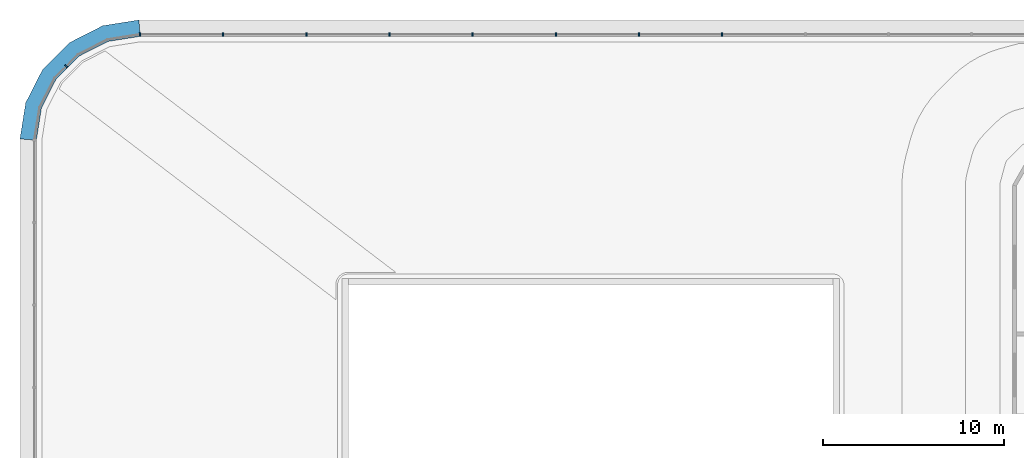
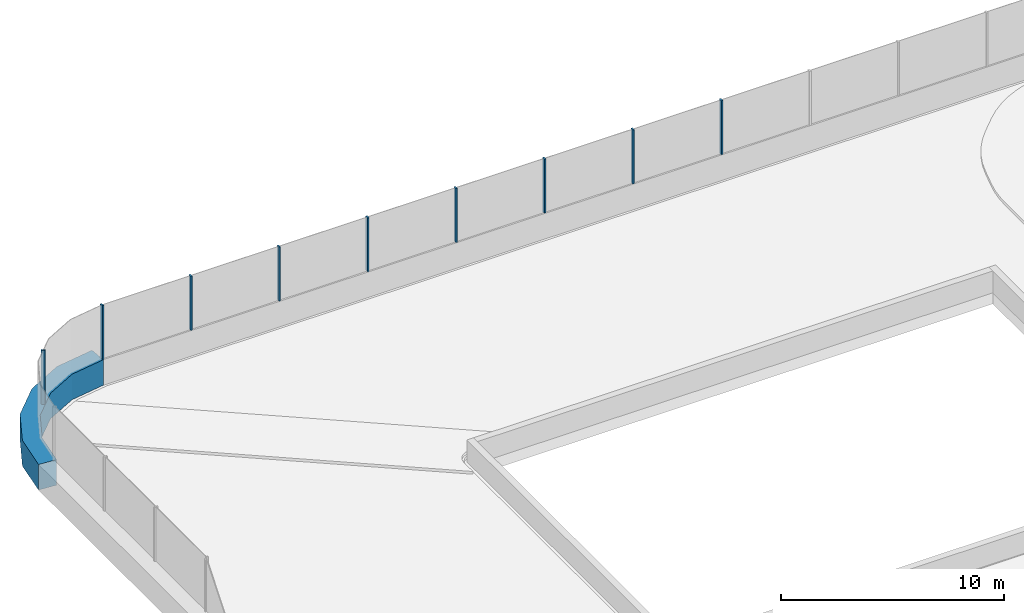
# One storey, part 14 of 37: 10 members, 2 elements without a shape of their own.
"""IFC4 building model written with IfcOpenShell, lengths in metres."""

from ifc_helpers import new_model, si_unit, direction, frame, origin, origin_2d, place, context, subcontext, project, spatial, polyline, rectangle, outline, extrude, material, layer, layer_set, material_profile, profile_set, type_object, element, aggregate, save


model = new_model("IFC4")

# Units and contexts
model_context = context("Model", 3, precision=1e-05, world=origin(), true_north=direction((0.0, 1.0)))
body_context = subcontext(model_context, "Body", "Model", "MODEL_VIEW")
ifc_project = project(units=[si_unit("LENGTHUNIT", "METRE"), si_unit("AREAUNIT", "SQUARE_METRE"), si_unit("VOLUMEUNIT", "CUBIC_METRE"), si_unit("PLANEANGLEUNIT", "RADIAN"), si_unit("MASSUNIT", "GRAM", prefix="KILO")], contexts=[model_context])

# Site, building, storey
site_placement = place(None, origin())
site = spatial("IfcSite", under=ifc_project, at=site_placement, CompositionType="ELEMENT")
building_placement = place(site_placement, origin())
building = spatial("IfcBuilding", under=site, at=building_placement, Name="Tamarind Cross Interchange Tower", CompositionType="ELEMENT")
storey_placement = place(building_placement, frame((0.0, 0.0, 29.5)))
storey = spatial("IfcBuildingStorey", under=building, at=storey_placement, Name="L05", CompositionType="ELEMENT", Elevation=29.5)

# Curtain wall, member
ifc_material_1 = material(Name="Aluminium 6063-T6", Category="aluminium")
ifc_layer = layer(ifc_material_1, 0.179931640625)
ifc_layer_set = layer_set([ifc_layer], Name="Aluminium 6063-T6")
curtain_wall_type = type_object("IfcCurtainWallType", Name="Sky lobby curtain wall, fire-resisting glazing", PredefinedType="NOTDEFINED", material=ifc_layer_set)
curtain_wall_1_placement = place(storey_placement, origin())
curtain_wall_1 = element("IfcCurtainWall", 1, at=curtain_wall_1_placement, inside=storey, type_object=curtain_wall_type, Name="CWS-L05-03", PredefinedType="NOTDEFINED")
ifc_material_2 = material(Name="Aluminium and insulated spandrel panel", Category="aluminium")
member_type_1 = type_object("IfcMemberType", Name="Floor-edge blade transom", PredefinedType="USERDEFINED", material=ifc_material_2)
member_1_placement = place(storey_placement, origin())
member_1 = element("IfcMember", 2, at=member_1_placement, type_object=member_type_1, Name="CWT-L05-03", ObjectType="TRANSOM", PredefinedType="USERDEFINED", context=body_context, shape_type="SweptSolid", body=[
    extrude(outline(polyline([(-54.976318359375, 55.699951171875), (-56.76025390625, 55.41748046875), (-58.34814453125, 54.6083984375), (-59.6083984375, 53.34814453125), (-60.41748046875, 51.76025390625), (-60.699951171875, 49.976318359375), (-61.60009765625, 50.047119140625), (-61.2841796875, 52.041748046875), (-60.345458984375, 53.8837890625), (-58.8837890625, 55.345458984375), (-57.041748046875, 56.2841796875), (-55.047119140625, 56.60009765625), (-54.976318359375, 55.699951171875)])), origin(), (0.0, 0.0, 1.0), 1.39990234375),
])

# Curtain wall, members
curtain_wall_2_placement = place(storey_placement, origin())
curtain_wall_2 = element("IfcCurtainWall", 3, at=curtain_wall_2_placement, inside=storey, type_object=curtain_wall_type, Name="CWS-L05-02", PredefinedType="NOTDEFINED")
ifc_material_profile = material_profile(ifc_material_1, rectangle(XDim=0.080078125, YDim=0.179931640625, at=origin_2d()), Name="Mullion CW4")
ifc_profile_set = profile_set([ifc_material_profile], Name="Aluminium 6063-T6")
member_type_2 = type_object("IfcMemberType", Name="Mullion CW4", PredefinedType="MULLION", material=ifc_profile_set)
member_2_placement = place(storey_placement, frame((-22.91015625, 55.800048828125, 1.39990234375), z_axis=(0.0, 0.0, 1.0), x_axis=(-1.0, 0.0, 0.0)))
member_2 = element("IfcMember", 4, at=member_2_placement, type_object=member_type_2, Name="CWM-L05-02-17", PredefinedType="MULLION", context=body_context, shape_type="SweptSolid", body=[
    extrude(rectangle(XDim=0.080078125, YDim=0.179931640625, at=origin_2d()), origin(), (0.0, 0.0, 1.0), 2.960205078125),
])
member_3_placement = place(storey_placement, frame((-27.4921875, 55.800048828125, 1.39990234375), z_axis=(0.0, 0.0, 1.0), x_axis=(-1.0, 0.0, 0.0)))
member_3 = element("IfcMember", 5, at=member_3_placement, type_object=member_type_2, Name="CWM-L05-02-18", PredefinedType="MULLION", context=body_context, shape_type="SweptSolid", body=[
    extrude(rectangle(XDim=0.080078125, YDim=0.179931640625, at=origin_2d()), origin(), (0.0, 0.0, 1.0), 2.960205078125),
])
member_4_placement = place(storey_placement, frame((-32.07421875, 55.800048828125, 1.39990234375), z_axis=(0.0, 0.0, 1.0), x_axis=(-1.0, 0.0, 0.0)))
member_4 = element("IfcMember", 6, at=member_4_placement, type_object=member_type_2, Name="CWM-L05-02-19", PredefinedType="MULLION", context=body_context, shape_type="SweptSolid", body=[
    extrude(rectangle(XDim=0.080078125, YDim=0.179931640625, at=origin_2d()), origin(), (0.0, 0.0, 1.0), 2.960205078125),
])
member_5_placement = place(storey_placement, frame((-36.65625, 55.800048828125, 1.39990234375), z_axis=(0.0, 0.0, 1.0), x_axis=(-1.0, 0.0, 0.0)))
member_5 = element("IfcMember", 7, at=member_5_placement, type_object=member_type_2, Name="CWM-L05-02-20", PredefinedType="MULLION", context=body_context, shape_type="SweptSolid", body=[
    extrude(rectangle(XDim=0.080078125, YDim=0.179931640625, at=origin_2d()), origin(), (0.0, 0.0, 1.0), 2.960205078125),
])
member_6_placement = place(storey_placement, frame((-41.23828125, 55.800048828125, 1.39990234375), z_axis=(0.0, 0.0, 1.0), x_axis=(-1.0, 0.0, 0.0)))
member_6 = element("IfcMember", 8, at=member_6_placement, type_object=member_type_2, Name="CWM-L05-02-21", PredefinedType="MULLION", context=body_context, shape_type="SweptSolid", body=[
    extrude(rectangle(XDim=0.080078125, YDim=0.179931640625, at=origin_2d()), origin(), (0.0, 0.0, 1.0), 2.960205078125),
])
member_7_placement = place(storey_placement, frame((-45.8203125, 55.800048828125, 1.39990234375), z_axis=(0.0, 0.0, 1.0), x_axis=(-1.0, 0.0, 0.0)))
member_7 = element("IfcMember", 9, at=member_7_placement, type_object=member_type_2, Name="CWM-L05-02-22", PredefinedType="MULLION", context=body_context, shape_type="SweptSolid", body=[
    extrude(rectangle(XDim=0.080078125, YDim=0.179931640625, at=origin_2d()), origin(), (0.0, 0.0, 1.0), 2.960205078125),
])
member_8_placement = place(storey_placement, frame((-50.40234375, 55.800048828125, 1.39990234375), z_axis=(0.0, 0.0, 1.0), x_axis=(-1.0, 0.0, 0.0)))
member_8 = element("IfcMember", 10, at=member_8_placement, type_object=member_type_2, Name="CWM-L05-02-23", PredefinedType="MULLION", context=body_context, shape_type="SweptSolid", body=[
    extrude(rectangle(XDim=0.080078125, YDim=0.179931640625, at=origin_2d()), origin(), (0.0, 0.0, 1.0), 2.960205078125),
])
aggregate(curtain_wall_2, [member_2, member_3, member_4, member_5, member_6, member_7, member_8])

# Member
member_9_placement = place(storey_placement, frame((-54.984375, 55.800048828125, 1.39990234375), z_axis=(0.0, 0.0, 1.0), x_axis=(-0.996917333733, -0.078459095728, 0.0)))
member_9 = element("IfcMember", 11, at=member_9_placement, type_object=member_type_2, Name="CWM-L05-03-00", PredefinedType="MULLION", context=body_context, shape_type="SweptSolid", body=[
    extrude(rectangle(XDim=0.080078125, YDim=0.179931640625, at=origin_2d()), origin(), (0.0, 0.0, 1.0), 2.960205078125),
])

member_10_placement = place(storey_placement, frame((-59.049072265625, 54.049072265625, 1.39990234375), z_axis=(0.0, 0.0, 1.0), x_axis=(-0.707106781187, -0.707106781187, 0.0)))
member_10 = element("IfcMember", 12, at=member_10_placement, type_object=member_type_2, Name="CWM-L05-03-01", PredefinedType="MULLION", context=body_context, shape_type="SweptSolid", body=[
    extrude(rectangle(XDim=0.080078125, YDim=0.179931640625, at=origin_2d()), origin(), (0.0, 0.0, 1.0), 2.960205078125),
])

aggregate(curtain_wall_1, [member_9, member_10, member_1])

save(model, "model.ifc")
